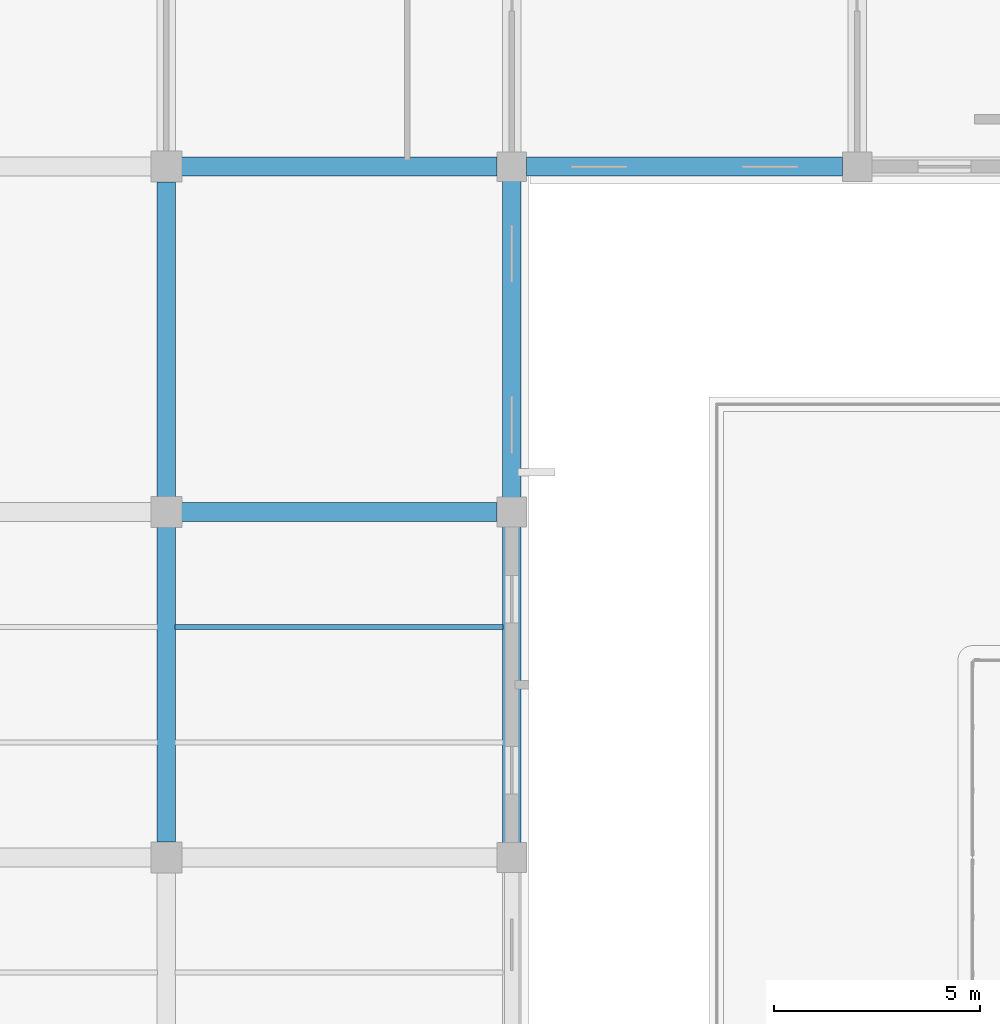
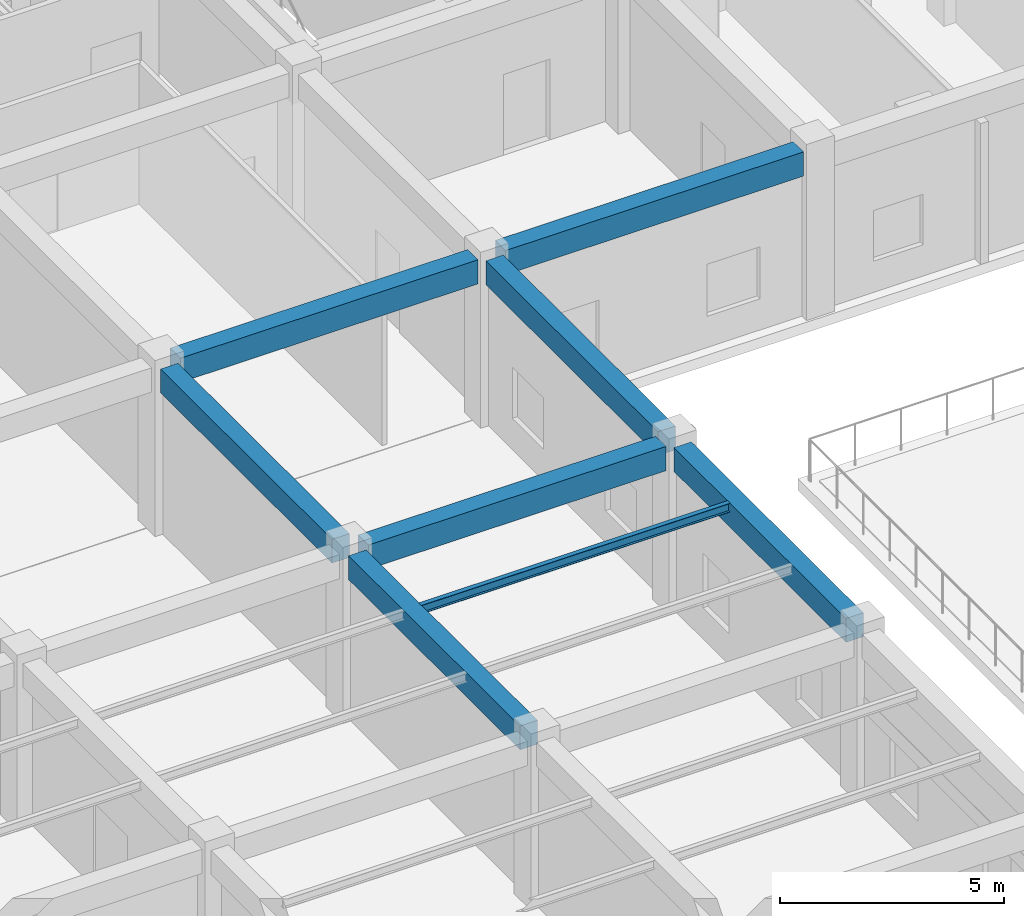
# One storey, part 59 of 158: 8 beams.
"""IFC4 building model written with IfcOpenShell, lengths in metres."""

from ifc_helpers import new_model, si_unit, direction, frame, origin, origin_2d, place, context, subcontext, project, spatial, rectangle, i_section, extrude, material, material_profile, profile_set, type_object, element, save


model = new_model("IFC4")

# Units and contexts
model_context = context("Model", 3, precision=1e-05, world=origin(), true_north=direction((0.0, 1.0)))
body_context = subcontext(model_context, "Body", "Model", "MODEL_VIEW")
ifc_project = project(units=[si_unit("LENGTHUNIT", "METRE"), si_unit("AREAUNIT", "SQUARE_METRE"), si_unit("VOLUMEUNIT", "CUBIC_METRE"), si_unit("PLANEANGLEUNIT", "RADIAN"), si_unit("MASSUNIT", "GRAM", prefix="KILO")], contexts=[model_context])

# Site, building, storey
site_placement = place(None, origin())
site = spatial("IfcSite", under=ifc_project, at=site_placement, CompositionType="ELEMENT")
building_placement = place(site_placement, origin())
building = spatial("IfcBuilding", under=site, at=building_placement, Name="Trelvath General Hospital", CompositionType="ELEMENT")
storey_placement = place(building_placement, frame((0.0, 0.0, 8.10009765625)))
storey = spatial("IfcBuildingStorey", under=building, at=storey_placement, Name="L02", CompositionType="ELEMENT", Elevation=8.10009765625)

# Beams
ifc_material_1 = material(Name="Concrete C35/45", Category="concrete")
ifc_material_profile_1 = material_profile(ifc_material_1, rectangle(XDim=0.449951171875, YDim=0.64990234375, at=origin_2d()), Name="RCB450x650")
ifc_profile_set_1 = profile_set([ifc_material_profile_1], Name="Concrete C35/45")
beam_type_1 = type_object("IfcBeamType", Name="Beam RC450x650", PredefinedType="BEAM", material=ifc_profile_set_1)
for number, where, z_axis, x_axis, name in (
    (1, (33.60009765625, 75.969970703125, 4.19482421875), (0.0, 1.0, 0.0), (-1.0, 0.0, 0.0), "Grid Beam BY-204J"),
    (2, (33.60009765625, 84.3701171875, 4.19482421875), (0.0, 1.0, 0.0), (-1.0, 0.0, 0.0), "Grid Beam BY-204K"),
):
    element("IfcBeam", number, at=place(storey_placement, frame(where, z_axis=z_axis, x_axis=x_axis)), inside=storey, type_object=beam_type_1, Name=name, PredefinedType="BEAM", context=body_context, shape_type="SweptSolid", body=[
        extrude(rectangle(XDim=0.449951171875, YDim=0.64990234375, at=origin_2d()), origin(), (0.0, 0.0, 1.0), 7.659912109375),
    ])
for number, where, z_axis, x_axis, name in (
    (3, (42.0, 75.955078125, 4.19482421875), (0.0, 1.0, 0.0), (-1.0, 0.0, 0.0), "Grid Beam BY-205J"),
    (4, (42.0, 84.35498046875, 4.19482421875), (0.0, 1.0, 0.0), (-1.0, 0.0, 0.0), "Grid Beam BY-205K"),
):
    element("IfcBeam", number, at=place(storey_placement, frame(where, z_axis=z_axis, x_axis=x_axis)), inside=storey, type_object=beam_type_1, Name=name, PredefinedType="BEAM", context=body_context, shape_type="SweptSolid", body=[
        extrude(rectangle(XDim=0.449951171875, YDim=0.64990234375, at=origin_2d()), origin(), (0.0, 0.0, 1.0), 7.68994140625),
    ])
ifc_material_2 = material(Name="Concrete C35/45", Category="concrete")
ifc_material_profile_2 = material_profile(ifc_material_2, rectangle(XDim=0.4599609375, YDim=0.659912109375, at=origin_2d()), Name="RCB460x660")
ifc_profile_set_2 = profile_set([ifc_material_profile_2], Name="Concrete C35/45")
beam_type_2 = type_object("IfcBeamType", Name="Beam RC460x660", PredefinedType="BEAM", material=ifc_profile_set_2)
for number, where, z_axis, x_axis, name in (
    (5, (33.969970703125, 84.0, 4.18994140625), (1.0, 0.0, 0.0), (0.0, 1.0, 0.0), "Grid Beam BX-204K"),
    (6, (33.969970703125, 92.39990234375, 4.18994140625), (1.0, 0.0, 0.0), (0.0, 1.0, 0.0), "Grid Beam BX-204L"),
):
    element("IfcBeam", number, at=place(storey_placement, frame(where, z_axis=z_axis, x_axis=x_axis)), inside=storey, type_object=beam_type_2, Name=name, PredefinedType="BEAM", context=body_context, shape_type="SweptSolid", body=[
        extrude(rectangle(XDim=0.4599609375, YDim=0.659912109375, at=origin_2d()), origin(), (0.0, 0.0, 1.0), 7.675048828125),
    ])
beam_1_placement = place(storey_placement, frame((42.35498046875, 92.39990234375, 4.18994140625), z_axis=(1.0, 0.0, 0.0), x_axis=(0.0, 1.0, 0.0)))
element("IfcBeam", 7, at=beam_1_placement, inside=storey, type_object=beam_type_2, Name="Grid Beam BX-205L", PredefinedType="BEAM", context=body_context, shape_type="SweptSolid", body=[
    extrude(rectangle(XDim=0.4599609375, YDim=0.659912109375, at=origin_2d()), origin(), (0.0, 0.0, 1.0), 7.68994140625),
])
ifc_material_3 = material(Name="Steel S355", Category="steel")
ifc_material_profile_3 = material_profile(ifc_material_3, i_section(OverallWidth=0.1201171875, OverallDepth=0.239990234375, WebThickness=0.006103515625, FlangeThickness=0.009765625, at=origin_2d()), Name="IPE240")
ifc_profile_set_3 = profile_set([ifc_material_profile_3], Name="Steel S355")
beam_type_3 = type_object("IfcBeamType", Name="InterstitialJoist IPE240", PredefinedType="JOIST", material=ifc_profile_set_3)
beam_2_placement = place(storey_placement, frame((33.81494140625, 81.199951171875, 4.39990234375), z_axis=(1.0, 0.0, 0.0), x_axis=(0.0, 1.0, 0.0)))
element("IfcBeam", 8, at=beam_2_placement, inside=storey, type_object=beam_type_3, Name="Interstitial Deck Joist IJ-3-220", PredefinedType="JOIST", context=body_context, shape_type="SweptSolid", body=[
    extrude(i_section(OverallWidth=0.1201171875, OverallDepth=0.239990234375, WebThickness=0.006103515625, FlangeThickness=0.009765625, at=origin_2d()), origin(), (0.0, 0.0, 1.0), 7.969970703125),
])

save(model, "model.ifc")
